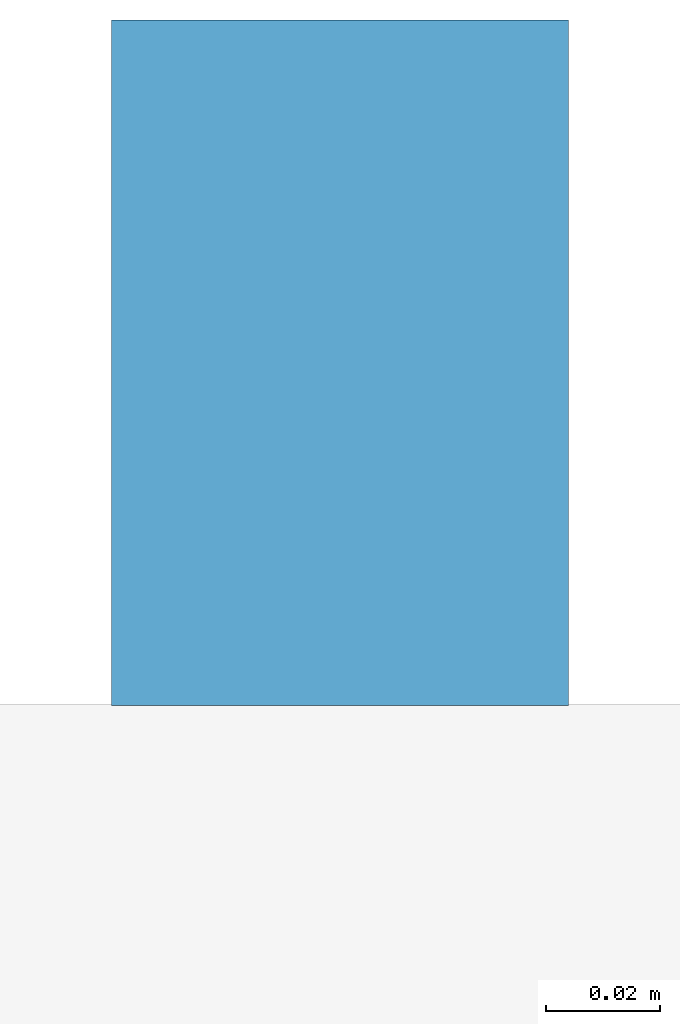
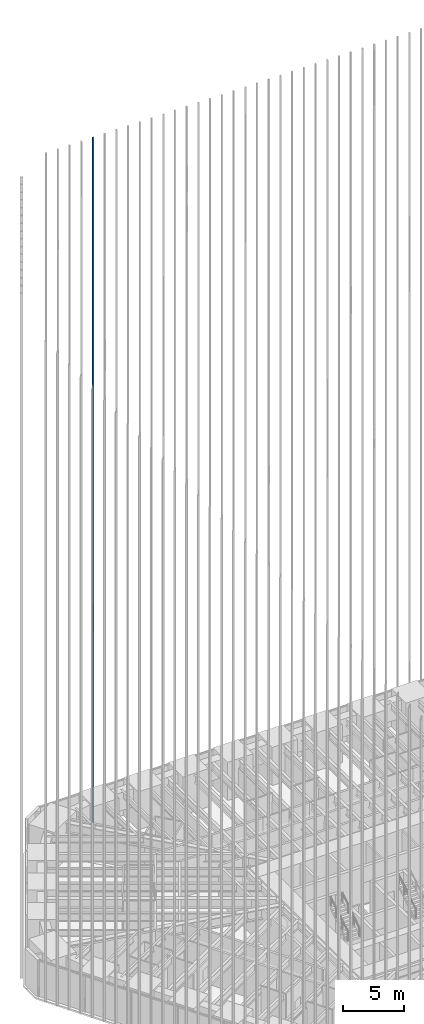
# One storey, part 169 of 256: 1 member, 1 element without a shape of its own.
"""IFC4 building model written with IfcOpenShell, lengths in metres."""

from ifc_helpers import new_model, si_unit, direction, frame, origin, origin_2d, place, context, subcontext, project, spatial, rectangle, extrude, material, material_profile, profile_set, type_object, element, aggregate, save


model = new_model("IFC4")

# Units and contexts
model_context = context("Model", 3, precision=1e-05, world=origin(), true_north=direction((0.0, 1.0)))
body_context = subcontext(model_context, "Body", "Model", "MODEL_VIEW")
ifc_project = project(units=[si_unit("LENGTHUNIT", "METRE"), si_unit("AREAUNIT", "SQUARE_METRE"), si_unit("VOLUMEUNIT", "CUBIC_METRE"), si_unit("PLANEANGLEUNIT", "RADIAN"), si_unit("MASSUNIT", "GRAM", prefix="KILO")], contexts=[model_context])

# Site, building, storey
site_placement = place(None, origin())
site = spatial("IfcSite", under=ifc_project, at=site_placement, CompositionType="ELEMENT")
building_placement = place(site_placement, origin())
building = spatial("IfcBuilding", under=site, at=building_placement, Name="Sandreach Pilgrim Tower", CompositionType="ELEMENT")
storey_placement = place(building_placement, frame((0.0, 0.0, 23.0)))
storey = spatial("IfcBuildingStorey", under=building, at=storey_placement, Name="L04", CompositionType="ELEMENT", Elevation=23.0)

# Curtain wall, member
ifc_material_1 = material(Name="Aluminium framed curtain wall", Category="aluminium")
curtain_wall_type = type_object("IfcCurtainWallType", Name="Hostel tower curtain wall", PredefinedType="NOTDEFINED", material=ifc_material_1)
curtain_wall_placement = place(storey_placement, origin())
curtain_wall = element("IfcCurtainWall", 1, at=curtain_wall_placement, inside=storey, type_object=curtain_wall_type, Name="CW-1 L04 N", PredefinedType="NOTDEFINED")
ifc_material_2 = material(Name="Extruded terracotta on aluminium core", Category="masonry")
ifc_material_profile = material_profile(ifc_material_2, rectangle(XDim=0.080078125, YDim=0.1201171875, at=origin_2d()), Name="TBN 80X120")
ifc_profile_set = profile_set([ifc_material_profile], Name="Extruded terracotta on aluminium core")
member_type = type_object("IfcMemberType", Name="Terracotta baguette north", PredefinedType="USERDEFINED", material=ifc_profile_set)
member_placement = place(storey_placement, frame((-14.357666015625, 24.30859375, 0.0), z_axis=(0.0, 0.0, 1.0), x_axis=(1.0, 0.0, 0.0)))
member = element("IfcMember", 2, at=member_placement, type_object=member_type, Name="Baguette Z1 N05", ObjectType="BAGUETTE", PredefinedType="USERDEFINED", context=body_context, shape_type="SweptSolid", body=[
    extrude(rectangle(XDim=0.080078125, YDim=0.1201171875, at=origin_2d()), origin(), (0.0, 0.0, 1.0), 68.239990234375),
])
aggregate(curtain_wall, [member])

save(model, "model.ifc")
